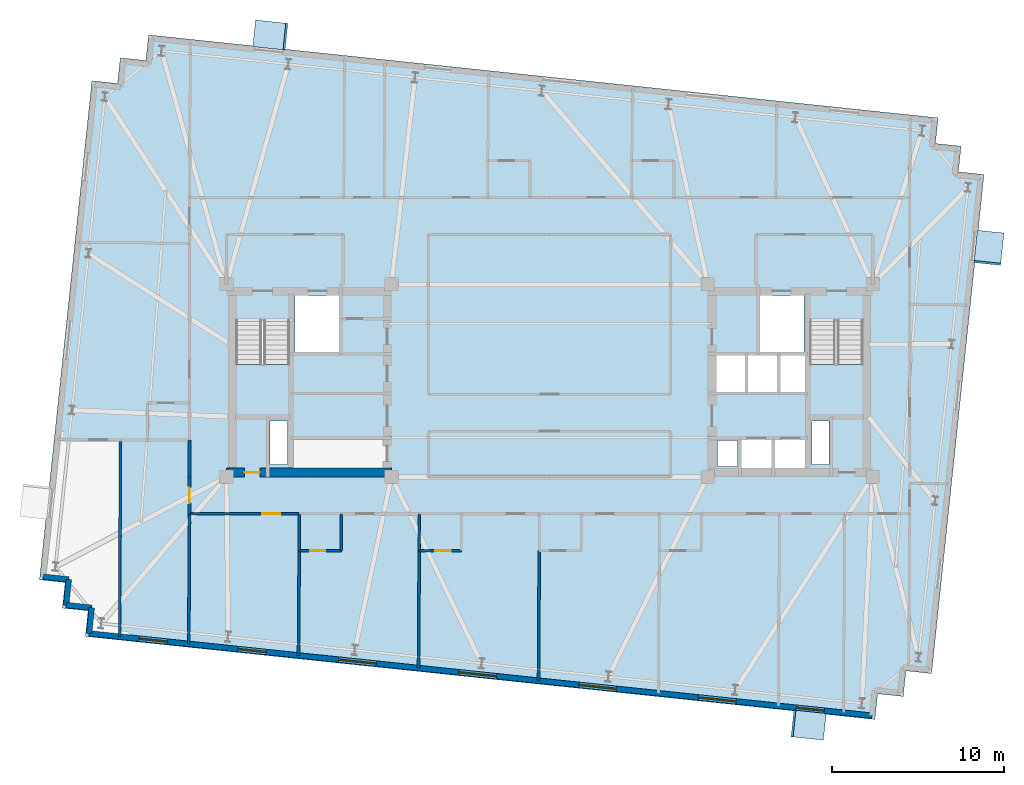
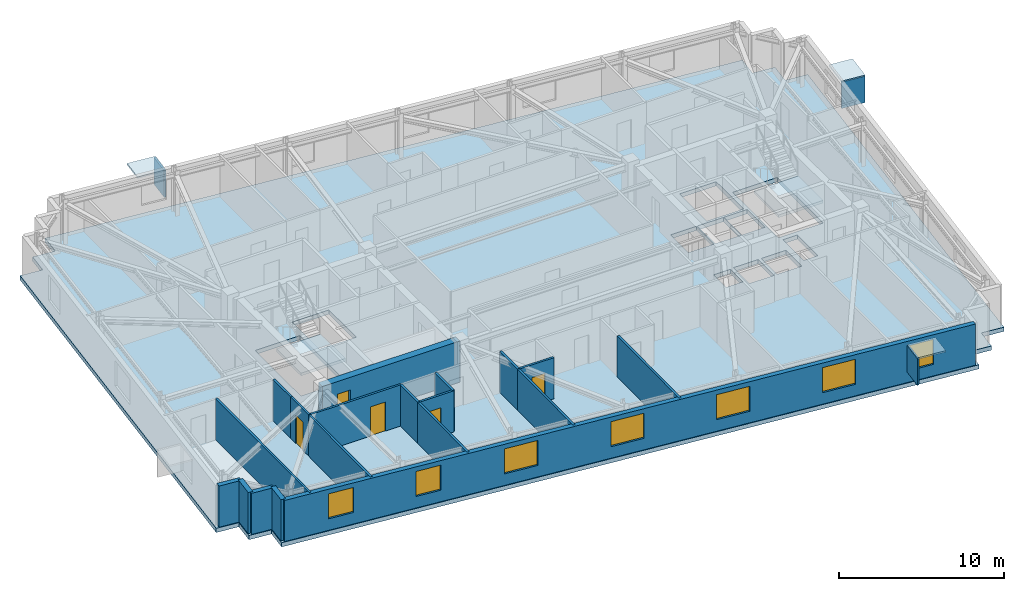
# One storey, part 5 of 11: 19 walls, 7 windows, 6 plates, 5 doors, 3 slabs, 12 openings, 2 elements without a shape of their own.
"""IFC4 building model written with IfcOpenShell, lengths in metres."""

from ifc_helpers import new_model, si_unit, direction, frame, frame_2d, origin, origin_2d, place, context, subcontext, project, spatial, polyline, rectangle, outline, extrude, material, layer, layer_set, type_object, element, fill, aggregate, save


model = new_model("IFC4")

# Units and contexts
model_context = context("Model", 3, precision=1e-05, world=origin(), true_north=direction((0.0, 1.0)))
body_context = subcontext(model_context, "Body", "Model", "MODEL_VIEW")
ifc_project = project(units=[si_unit("LENGTHUNIT", "METRE"), si_unit("AREAUNIT", "SQUARE_METRE"), si_unit("VOLUMEUNIT", "CUBIC_METRE"), si_unit("PLANEANGLEUNIT", "RADIAN"), si_unit("MASSUNIT", "GRAM", prefix="KILO")], contexts=[model_context])

# Site, building, storey
site_placement = place(None, origin())
site = spatial("IfcSite", under=ifc_project, at=site_placement, CompositionType="ELEMENT")
building_placement = place(site_placement, origin())
building = spatial("IfcBuilding", under=site, at=building_placement, Name="Qobustan Lattice House", CompositionType="ELEMENT")
storey_placement = place(building_placement, frame((0.0, 0.0, 206.449951171875)))
storey = spatial("IfcBuildingStorey", under=building, at=storey_placement, Name="L58", CompositionType="ELEMENT", Elevation=206.449951171875)

# Plates
ifc_material_1 = material(Name="Qobustan limestone GFRC", Category="masonry")
ifc_layer_1 = layer(ifc_material_1, 0.1201171875)
ifc_layer_set_1 = layer_set([ifc_layer_1], Name="Qobustan limestone GFRC")
plate_type = type_object("IfcPlateType", Name="SHD-HOOD-BROW", PredefinedType="USERDEFINED", material=ifc_layer_set_1)
plate_1_placement = place(storey_placement, frame((-16.25, 20.107666015625, 2.699951171875), z_axis=(0.0, 0.0, 1.0), x_axis=(0.994521895368, -0.104528463268, 0.0)))
element("IfcPlate", 1, at=plate_1_placement, inside=storey, type_object=plate_type, Name="L58 splayed Qobustan stone hood brow", ObjectType="SUNSHADE", PredefinedType="USERDEFINED", context=body_context, shape_type="SweptSolid", body=[
    extrude(rectangle(XDim=1.889892578125, YDim=1.56005859375, at=origin_2d()), origin(), (0.0, 0.0, 1.0), 0.1201171875),
])
plate_2_placement = place(storey_placement, frame((-15.369873046875, 20.01513671875, 0.7900390625), z_axis=(0.0, 0.0, 1.0), x_axis=(0.994521895368, -0.104528463268, 0.0)))
element("IfcPlate", 2, at=plate_2_placement, inside=storey, type_object=plate_type, Name="L58 splayed Qobustan stone hood cheek", ObjectType="SUNSHADE", PredefinedType="USERDEFINED", context=body_context, shape_type="SweptSolid", body=[
    extrude(rectangle(XDim=0.1201171875, YDim=1.56005859375, at=origin_2d()), origin(), (0.0, 0.0, 1.0), 1.969970703125),
])
plate_3_placement = place(storey_placement, frame((25.56884765625, 7.7275390625, 2.699951171875), z_axis=(0.0, 0.0, 1.0), x_axis=(-0.104528463268, -0.994521895368, 0.0)))
element("IfcPlate", 3, at=plate_3_placement, inside=storey, type_object=plate_type, Name="L58 splayed Qobustan stone hood brow", ObjectType="SUNSHADE", PredefinedType="USERDEFINED", context=body_context, shape_type="SweptSolid", body=[
    extrude(rectangle(XDim=1.889892578125, YDim=1.56005859375, at=origin_2d()), origin(), (0.0, 0.0, 1.0), 0.1201171875),
])
plate_4_placement = place(storey_placement, frame((25.476318359375, 6.847412109375, 0.7900390625), z_axis=(0.0, 0.0, 1.0), x_axis=(-0.104528463268, -0.994521895368, 0.0)))
element("IfcPlate", 4, at=plate_4_placement, inside=storey, type_object=plate_type, Name="L58 splayed Qobustan stone hood cheek", ObjectType="SUNSHADE", PredefinedType="USERDEFINED", context=body_context, shape_type="SweptSolid", body=[
    extrude(rectangle(XDim=0.1201171875, YDim=1.56005859375, at=origin_2d()), origin(), (0.0, 0.0, 1.0), 1.969970703125),
])
plate_5_placement = place(storey_placement, frame((15.0751953125, -20.046630859375, 2.699951171875), z_axis=(0.0, 0.0, 1.0), x_axis=(-0.994521895368, 0.104528463268, 0.0)))
element("IfcPlate", 5, at=plate_5_placement, inside=storey, type_object=plate_type, Name="L58 splayed Qobustan stone hood brow", ObjectType="SUNSHADE", PredefinedType="USERDEFINED", context=body_context, shape_type="SweptSolid", body=[
    extrude(rectangle(XDim=1.889892578125, YDim=1.56005859375, at=origin_2d()), origin(), (0.0, 0.0, 1.0), 0.1201171875),
])
plate_6_placement = place(storey_placement, frame((14.195068359375, -19.9541015625, 0.7900390625), z_axis=(0.0, 0.0, 1.0), x_axis=(-0.994521895368, 0.104528463268, 0.0)))
element("IfcPlate", 6, at=plate_6_placement, inside=storey, type_object=plate_type, Name="L58 splayed Qobustan stone hood cheek", ObjectType="SUNSHADE", PredefinedType="USERDEFINED", context=body_context, shape_type="SweptSolid", body=[
    extrude(rectangle(XDim=0.1201171875, YDim=1.56005859375, at=origin_2d()), origin(), (0.0, 0.0, 1.0), 1.969970703125),
])

# Slab
ifc_material_2 = material(Name="Concrete C40/50", Category="concrete")
ifc_layer_2 = layer(ifc_material_2, 0.31005859375)
ifc_layer_set_2 = layer_set([ifc_layer_2], Name="Concrete C40/50")
slab_type_1 = type_object("IfcSlabType", Name="SLB-FLR-310", PredefinedType="FLOOR", material=ifc_layer_set_2)
slab_1_placement = place(storey_placement, frame((0.0, 0.0, -0.31005859375)))
element("IfcSlab", 7, at=slab_1_placement, inside=storey, type_object=slab_type_1, Name="L58 structural floor slab", PredefinedType="FLOOR", context=body_context, shape_type="SweptSolid", body=[
    extrude(outline(polyline([(-27.01318359375, -14.888916015625), (18.933837890625, -19.71826171875), (19.090576171875, -18.226318359375), (20.582275390625, -18.38330078125), (20.739013671875, -16.891357421875), (22.23095703125, -17.048095703125), (25.283203125, 11.99169921875), (23.79150390625, 12.148681640625), (23.947998046875, 13.640380859375), (22.456298828125, 13.797119140625), (22.61328125, 15.2890625), (-23.333740234375, 20.1181640625), (-23.490478515625, 18.62646484375), (-24.982421875, 18.783203125), (-25.13916015625, 17.29150390625), (-26.630859375, 17.4482421875), (-29.68310546875, -11.591796875), (-28.19140625, -11.74853515625), (-28.34814453125, -13.240478515625), (-26.8564453125, -13.397216796875), (-27.01318359375, -14.888916015625)]), holes=[polyline([(-18.25, -2.050048828125), (-18.25, 3.489990234375), (-15.1298828125, 3.489990234375), (-15.1298828125, -2.050048828125), (-18.25, -2.050048828125)]), polyline([(15.1298828125, -2.050048828125), (15.1298828125, 3.489990234375), (18.25, 3.489990234375), (18.25, -2.050048828125), (15.1298828125, -2.050048828125)]), polyline([(-14.820068359375, 1.64990234375), (-14.820068359375, 4.9599609375), (-12.25, 4.9599609375), (-12.25, 1.64990234375), (-14.820068359375, 1.64990234375)]), polyline([(12.25, 1.64990234375), (12.25, 4.9599609375), (14.820068359375, 4.9599609375), (14.820068359375, 1.64990234375), (12.25, 1.64990234375)]), polyline([(-16.260009765625, -4.8798828125), (-16.260009765625, -2.360107421875), (-15.260009765625, -2.360107421875), (-15.260009765625, -4.8798828125), (-16.260009765625, -4.8798828125)]), polyline([(15.260009765625, -4.8798828125), (15.260009765625, -2.360107421875), (16.260009765625, -2.360107421875), (16.260009765625, -4.8798828125), (15.260009765625, -4.8798828125)]), polyline([(11.179931640625, -5.35009765625), (11.179931640625, -3.419921875), (12.919921875, -3.419921875), (12.919921875, -5.35009765625), (11.179931640625, -5.35009765625)]), polyline([(13.1201171875, -5.35009765625), (13.1201171875, -3.419921875), (14.85009765625, -3.419921875), (14.85009765625, -5.35009765625), (13.1201171875, -5.35009765625)]), polyline([(9.760009765625, -5.0), (9.760009765625, -3.47998046875), (10.93994140625, -3.47998046875), (10.93994140625, -5.0), (9.760009765625, -5.0)]), polyline([(13.360107421875, -0.679931640625), (13.360107421875, 1.47998046875), (14.97998046875, 1.47998046875), (14.97998046875, -0.679931640625), (13.360107421875, -0.679931640625)]), polyline([(9.6201171875, -0.679931640625), (9.6201171875, 1.47998046875), (11.43994140625, 1.47998046875), (11.43994140625, -0.679931640625), (9.6201171875, -0.679931640625)]), polyline([(11.5, -0.679931640625), (11.5, 1.47998046875), (13.320068359375, 1.47998046875), (13.320068359375, -0.679931640625), (11.5, -0.679931640625)])]), origin(), (0.0, 0.0, 1.0), 0.31005859375),
])

# Stair, slab
ifc_material_3 = material(Name="Concrete C40/50", Category="concrete")
stair_type = type_object("IfcStairType", Name="STR-CORE-DOGLEG", PredefinedType="HALF_TURN_STAIR", material=ifc_material_3)
stair_1_placement = place(storey_placement, origin())
stair_1 = element("IfcStair", 8, at=stair_1_placement, inside=storey, type_object=stair_type, Name="L58 West protected exit stair ST-W1", PredefinedType="HALF_TURN_STAIR")
ifc_material_4 = material(Name="Concrete C40/50", Category="concrete")
ifc_layer_3 = layer(ifc_material_4, 0.199951171875)
ifc_layer_set_3 = layer_set([ifc_layer_3], Name="Concrete C40/50")
slab_type_2 = type_object("IfcSlabType", Name="SLB-LANDING-200", PredefinedType="LANDING", material=ifc_layer_set_3)
slab_2_placement = place(storey_placement, frame((0.0, 0.0, 1.47509765625)))
slab_2 = element("IfcSlab", 9, at=slab_2_placement, type_object=slab_type_2, Name="ST-W1 landing 1", PredefinedType="LANDING", context=body_context, shape_type="SweptSolid", body=[
    extrude(outline(polyline([(-18.25, 0.93505859375), (-18.25, -2.050048828125), (-15.1298828125, -2.050048828125), (-15.1298828125, 0.93505859375), (-18.25, 0.93505859375)])), origin(), (0.0, 0.0, 1.0), 0.199951171875),
])
aggregate(stair_1, [slab_2])

stair_2_placement = place(storey_placement, origin())
stair_2 = element("IfcStair", 10, at=stair_2_placement, inside=storey, type_object=stair_type, Name="L58 East protected exit stair ST-E1", PredefinedType="HALF_TURN_STAIR")
slab_3_placement = place(storey_placement, frame((0.0, 0.0, 1.47509765625)))
slab_3 = element("IfcSlab", 11, at=slab_3_placement, type_object=slab_type_2, Name="ST-E1 landing 1", PredefinedType="LANDING", context=body_context, shape_type="SweptSolid", body=[
    extrude(outline(polyline([(15.1298828125, 0.93505859375), (15.1298828125, -2.050048828125), (18.25, -2.050048828125), (18.25, 0.93505859375), (15.1298828125, 0.93505859375)])), origin(), (0.0, 0.0, 1.0), 0.199951171875),
])
aggregate(stair_2, [slab_3])

# Wall, opening, door
ifc_material_5 = material(Name="Concrete C50/60", Category="concrete")
ifc_layer_4 = layer(ifc_material_5, 0.5)
ifc_layer_set_4 = layer_set([ifc_layer_4], Name="Concrete C50/60")
wall_type_1 = type_object("IfcWallType", Name="WAL-CORE-500", PredefinedType="SHEAR", material=ifc_layer_set_4)
wall_1_placement = place(storey_placement, frame((-18.800048828125, -5.35009765625, 0.0), z_axis=(0.0, 0.0, 1.0), x_axis=(1.0, 0.0, 0.0)))
wall_1 = element("IfcWall", 12, at=wall_1_placement, inside=storey, type_object=wall_type_1, Name="L58 split-core shear wall CW-S", PredefinedType="SHEAR", context=body_context, shape_type="SweptSolid", body=[
    extrude(rectangle(XDim=9.60009765625, YDim=0.5, at=frame_2d((4.800048828125, 0.0))), origin(), (0.0, 0.0, 1.0), 3.0400390625),
])
opening_1_placement = place(wall_1_placement, frame((1.050048828125, 0.0, 0.0)))
opening_1 = element("IfcOpeningElement", 13, at=opening_1_placement, cuts=wall_1, Name="Opening RD-01", PredefinedType="OPENING", context=body_context, shape_type="SweptSolid", body=[
    extrude(rectangle(XDim=0.89990234375, YDim=2.10009765625, at=frame_2d((0.449951171875, 1.050048828125))), frame((0.0, 0.260009765625, 0.0), z_axis=(0.0, -1.0, 0.0), x_axis=(1.0, 0.0, 0.0)), (0.0, 0.0, 1.0), 0.52001953125),
])
ifc_material_6 = material(Name="Persian walnut timber and steel frame door", Category="steel")
door_type_1 = type_object("IfcDoorType", Name="DOR-RISER-FD-900x2100", OperationType="NOTDEFINED", PredefinedType="DOOR", material=ifc_material_6)
door_1_placement = place(opening_1_placement, origin())
door_1 = element("IfcDoor", 14, at=door_1_placement, inside=storey, type_object=door_type_1, Name="L58 core service riser access door W", OperationType="SINGLE_SWING_RIGHT", OverallHeight=2.10009765625, OverallWidth=0.89990234375, PredefinedType="DOOR", context=body_context, shape_type="SweptSolid", body=[
    extrude(rectangle(XDim=0.89990234375, YDim=2.10009765625, at=frame_2d((0.449951171875, 1.050048828125))), frame((0.0, 0.02490234375, 0.0), z_axis=(0.0, -1.0, 0.0), x_axis=(1.0, 0.0, 0.0)), (0.0, 0.0, 1.0), 0.050048828125),
])
fill(opening_1, door_1)

# Walls
ifc_material_7 = material(Name="Precast concrete C40/50", Category="concrete")
ifc_layer_5 = layer(ifc_material_7, 0.320068359375)
ifc_layer_set_5 = layer_set([ifc_layer_5], Name="Precast concrete C40/50")
wall_type_2 = type_object("IfcWallType", Name="WAL-EXT-STONE-320", PredefinedType="SOLIDWALL", material=ifc_layer_set_5)
for number, where, z_axis, x_axis, name in (
    (15, (-26.79345703125, -14.7109375, 0.0), (0.0, 0.0, 1.0), (0.104498377516, 0.994525057048, 0.0), "L58 exterior limestone-clad wall 1"),
    (16, (-26.63671875, -13.21923828125, 0.0), (0.0, 0.0, 1.0), (-0.994525057048, 0.104498377516, 0.0), "L58 exterior limestone-clad wall 2"),
):
    element("IfcWall", number, at=place(storey_placement, frame(where, z_axis=z_axis, x_axis=x_axis)), inside=storey, type_object=wall_type_2, Name=name, PredefinedType="SOLIDWALL", context=body_context, shape_type="SweptSolid", body=[
        extrude(rectangle(XDim=1.5, YDim=0.320068359375, at=frame_2d((0.75, 0.0))), origin(), (0.0, 0.0, 1.0), 3.0400390625),
    ])
wall_2_placement = place(storey_placement, frame((-28.12841796875, -13.0625, 0.0), z_axis=(0.0, 0.0, 1.0), x_axis=(0.104481464157, 0.994526834051, 0.0)))
element("IfcWall", 17, at=wall_2_placement, inside=storey, type_object=wall_type_2, Name="L58 exterior limestone-clad wall 3", PredefinedType="SOLIDWALL", context=body_context, shape_type="SweptSolid", body=[
    extrude(rectangle(XDim=1.500244140625, YDim=0.320068359375, at=frame_2d((0.75, 0.0))), origin(), (0.0, 0.0, 1.0), 3.0400390625),
])
wall_3_placement = place(storey_placement, frame((-27.9716796875, -11.570556640625, 0.0), z_axis=(0.0, 0.0, 1.0), x_axis=(-0.994525057048, 0.104498377516, 0.0)))
element("IfcWall", 18, at=wall_3_placement, inside=storey, type_object=wall_type_2, Name="L58 exterior limestone-clad wall 4", PredefinedType="SOLIDWALL", context=body_context, shape_type="SweptSolid", body=[
    extrude(rectangle(XDim=1.5, YDim=0.320068359375, at=frame_2d((0.75, 0.0))), origin(), (0.0, 0.0, 1.0), 3.0400390625),
])

# Wall, openings, windows
wall_4_placement = place(storey_placement, frame((18.755859375, -19.498291015625, 0.0), z_axis=(0.0, 0.0, 1.0), x_axis=(-0.994522060044, 0.104526896475, 0.0)))
wall_4 = element("IfcWall", 19, at=wall_4_placement, inside=storey, type_object=wall_type_2, Name="L58 exterior limestone-clad wall 20", PredefinedType="SOLIDWALL", context=body_context, shape_type="SweptSolid", body=[
    extrude(rectangle(XDim=45.80029296875, YDim=0.320068359375, at=frame_2d((22.900146484375, 0.0))), origin(), (0.0, 0.0, 1.0), 3.0400390625),
])
opening_2_placement = place(wall_4_placement, frame((2.7783203125, 0.0, 0.85009765625)))
opening_2 = element("IfcOpeningElement", 20, at=opening_2_placement, cuts=wall_4, Name="Opening WN-09", PredefinedType="OPENING", context=body_context, shape_type="SweptSolid", body=[
    extrude(rectangle(XDim=1.64990234375, YDim=1.85009765625, at=frame_2d((0.824951171875, 0.925048828125))), frame((0.0, 0.169921875, 0.0), z_axis=(0.0, -1.0, 0.0), x_axis=(1.0, 0.0, 0.0)), (0.0, 0.0, 1.0), 0.340087890625),
])
opening_3_placement = place(wall_4_placement, frame((7.947998046875, 0.0, 0.85009765625)))
opening_3 = element("IfcOpeningElement", 21, at=opening_3_placement, cuts=wall_4, Name="Opening WN-03", PredefinedType="OPENING", context=body_context, shape_type="SweptSolid", body=[
    extrude(rectangle(XDim=2.199951171875, YDim=1.85009765625, at=frame_2d((1.10009765625, 0.925048828125))), frame((0.0, 0.169921875, 0.0), z_axis=(0.0, -1.0, 0.0), x_axis=(1.0, 0.0, 0.0)), (0.0, 0.0, 1.0), 0.340087890625),
])
opening_4_placement = place(wall_4_placement, frame((14.9541015625, 0.0, 0.85009765625)))
opening_4 = element("IfcOpeningElement", 22, at=opening_4_placement, cuts=wall_4, Name="Opening WN-03", PredefinedType="OPENING", context=body_context, shape_type="SweptSolid", body=[
    extrude(rectangle(XDim=2.199951171875, YDim=1.85009765625, at=frame_2d((1.10009765625, 0.925048828125))), frame((0.0, 0.169921875, 0.0), z_axis=(0.0, -1.0, 0.0), x_axis=(1.0, 0.0, 0.0)), (0.0, 0.0, 1.0), 0.340087890625),
])
opening_5_placement = place(wall_4_placement, frame((21.960205078125, 0.0, 0.85009765625)))
opening_5 = element("IfcOpeningElement", 23, at=opening_5_placement, cuts=wall_4, Name="Opening WN-03", PredefinedType="OPENING", context=body_context, shape_type="SweptSolid", body=[
    extrude(rectangle(XDim=2.199951171875, YDim=1.85009765625, at=frame_2d((1.10009765625, 0.925048828125))), frame((0.0, 0.169921875, 0.0), z_axis=(0.0, -1.0, 0.0), x_axis=(1.0, 0.0, 0.0)), (0.0, 0.0, 1.0), 0.340087890625),
])
opening_6_placement = place(wall_4_placement, frame((29.00634765625, 0.0, 0.85009765625)))
opening_6 = element("IfcOpeningElement", 24, at=opening_6_placement, cuts=wall_4, Name="Opening WN-03", PredefinedType="OPENING", context=body_context, shape_type="SweptSolid", body=[
    extrude(rectangle(XDim=2.199951171875, YDim=1.85009765625, at=frame_2d((1.10009765625, 0.925048828125))), frame((0.0, 0.169921875, 0.0), z_axis=(0.0, -1.0, 0.0), x_axis=(1.0, 0.0, 0.0)), (0.0, 0.0, 1.0), 0.340087890625),
])
opening_7_placement = place(wall_4_placement, frame((35.428955078125, 0.0, 0.85009765625)))
opening_7 = element("IfcOpeningElement", 25, at=opening_7_placement, cuts=wall_4, Name="Opening WN-09", PredefinedType="OPENING", context=body_context, shape_type="SweptSolid", body=[
    extrude(rectangle(XDim=1.64990234375, YDim=1.85009765625, at=frame_2d((0.824951171875, 0.925048828125))), frame((0.0, 0.169921875, 0.0), z_axis=(0.0, -1.0, 0.0), x_axis=(1.0, 0.0, 0.0)), (0.0, 0.0, 1.0), 0.340087890625),
])
opening_8_placement = place(wall_4_placement, frame((41.2119140625, 0.0, 0.85009765625)))
opening_8 = element("IfcOpeningElement", 26, at=opening_8_placement, cuts=wall_4, Name="Opening WN-09", PredefinedType="OPENING", context=body_context, shape_type="SweptSolid", body=[
    extrude(rectangle(XDim=1.64990234375, YDim=1.85009765625, at=frame_2d((0.824951171875, 0.925048828125))), frame((0.0, 0.169921875, 0.0), z_axis=(0.0, -1.0, 0.0), x_axis=(1.0, 0.0, 0.0)), (0.0, 0.0, 1.0), 0.340087890625),
])
ifc_material_8 = material(Name="Double-glazed low-E aluminium window", Category="aluminium")
window_type_1 = type_object("IfcWindowType", Name="WIN-STU-1650x1850", PartitioningType="SINGLE_PANEL", PredefinedType="WINDOW", material=ifc_material_8)
window_1_placement = place(opening_2_placement, origin())
window_1 = element("IfcWindow", 27, at=window_1_placement, inside=storey, type_object=window_type_1, Name="L58 Group study room window", OverallHeight=1.85009765625, OverallWidth=1.64990234375, PartitioningType="SINGLE_PANEL", PredefinedType="WINDOW", context=body_context, shape_type="SweptSolid", body=[
    extrude(rectangle(XDim=1.64990234375, YDim=1.85009765625, at=frame_2d((0.824951171875, 0.925048828125))), frame((0.0, 0.030029296875, 0.0), z_axis=(0.0, -1.0, 0.0), x_axis=(1.0, 0.0, 0.0)), (0.0, 0.0, 1.0), 0.06005859375),
])
fill(opening_2, window_1)
window_2_placement = place(opening_7_placement, origin())
window_2 = element("IfcWindow", 28, at=window_2_placement, inside=storey, type_object=window_type_1, Name="L58 Focus study room S1 window", OverallHeight=1.85009765625, OverallWidth=1.64990234375, PartitioningType="SINGLE_PANEL", PredefinedType="WINDOW", context=body_context, shape_type="SweptSolid", body=[
    extrude(rectangle(XDim=1.64990234375, YDim=1.85009765625, at=frame_2d((0.824951171875, 0.925048828125))), frame((0.0, 0.030029296875, 0.0), z_axis=(0.0, -1.0, 0.0), x_axis=(1.0, 0.0, 0.0)), (0.0, 0.0, 1.0), 0.06005859375),
])
fill(opening_7, window_2)
window_3_placement = place(opening_8_placement, origin())
window_3 = element("IfcWindow", 29, at=window_3_placement, inside=storey, type_object=window_type_1, Name="L58 Focus study room W1B window", OverallHeight=1.85009765625, OverallWidth=1.64990234375, PartitioningType="SINGLE_PANEL", PredefinedType="WINDOW", context=body_context, shape_type="SweptSolid", body=[
    extrude(rectangle(XDim=1.64990234375, YDim=1.85009765625, at=frame_2d((0.824951171875, 0.925048828125))), frame((0.0, 0.030029296875, 0.0), z_axis=(0.0, -1.0, 0.0), x_axis=(1.0, 0.0, 0.0)), (0.0, 0.0, 1.0), 0.06005859375),
])
fill(opening_8, window_3)
ifc_material_9 = material(Name="Double-glazed low-E aluminium window", Category="aluminium")
window_type_2 = type_object("IfcWindowType", Name="WIN-WIDE-2200x1850", PartitioningType="SINGLE_PANEL", PredefinedType="WINDOW", material=ifc_material_9)
window_4_placement = place(opening_3_placement, origin())
window_4 = element("IfcWindow", 30, at=window_4_placement, inside=storey, type_object=window_type_2, Name="L58 Kitchenette and studio apartment L58-S5 window", OverallHeight=1.85009765625, OverallWidth=2.199951171875, PartitioningType="SINGLE_PANEL", PredefinedType="WINDOW", context=body_context, shape_type="SweptSolid", body=[
    extrude(rectangle(XDim=2.199951171875, YDim=1.85009765625, at=frame_2d((1.10009765625, 0.925048828125))), frame((0.0, 0.030029296875, 0.0), z_axis=(0.0, -1.0, 0.0), x_axis=(1.0, 0.0, 0.0)), (0.0, 0.0, 1.0), 0.06005859375),
])
fill(opening_3, window_4)
window_5_placement = place(opening_4_placement, origin())
window_5 = element("IfcWindow", 31, at=window_5_placement, inside=storey, type_object=window_type_2, Name="L58 Kitchenette and studio apartment L58-S4 window", OverallHeight=1.85009765625, OverallWidth=2.199951171875, PartitioningType="SINGLE_PANEL", PredefinedType="WINDOW", context=body_context, shape_type="SweptSolid", body=[
    extrude(rectangle(XDim=2.199951171875, YDim=1.85009765625, at=frame_2d((1.10009765625, 0.925048828125))), frame((0.0, 0.030029296875, 0.0), z_axis=(0.0, -1.0, 0.0), x_axis=(1.0, 0.0, 0.0)), (0.0, 0.0, 1.0), 0.06005859375),
])
fill(opening_4, window_5)
window_6_placement = place(opening_5_placement, origin())
window_6 = element("IfcWindow", 32, at=window_6_placement, inside=storey, type_object=window_type_2, Name="L58 Kitchenette and studio apartment L58-S3 window", OverallHeight=1.85009765625, OverallWidth=2.199951171875, PartitioningType="SINGLE_PANEL", PredefinedType="WINDOW", context=body_context, shape_type="SweptSolid", body=[
    extrude(rectangle(XDim=2.199951171875, YDim=1.85009765625, at=frame_2d((1.10009765625, 0.925048828125))), frame((0.0, 0.030029296875, 0.0), z_axis=(0.0, -1.0, 0.0), x_axis=(1.0, 0.0, 0.0)), (0.0, 0.0, 1.0), 0.06005859375),
])
fill(opening_5, window_6)
window_7_placement = place(opening_6_placement, origin())
window_7 = element("IfcWindow", 33, at=window_7_placement, inside=storey, type_object=window_type_2, Name="L58 Kitchenette and studio apartment L58-S2 window", OverallHeight=1.85009765625, OverallWidth=2.199951171875, PartitioningType="SINGLE_PANEL", PredefinedType="WINDOW", context=body_context, shape_type="SweptSolid", body=[
    extrude(rectangle(XDim=2.199951171875, YDim=1.85009765625, at=frame_2d((1.10009765625, 0.925048828125))), frame((0.0, 0.030029296875, 0.0), z_axis=(0.0, -1.0, 0.0), x_axis=(1.0, 0.0, 0.0)), (0.0, 0.0, 1.0), 0.06005859375),
])
fill(opening_6, window_7)

# Wall, opening, door
ifc_material_10 = material(Name="Acoustic twin-stud gypsum partition", Category="gypsum")
ifc_layer_6 = layer(ifc_material_10, 0.14990234375)
ifc_layer_set_6 = layer_set([ifc_layer_6], Name="Acoustic twin-stud gypsum partition")
wall_type_3 = type_object("IfcWallType", Name="WAL-PART-150", PredefinedType="PARTITIONING", material=ifc_layer_set_6)
wall_5_placement = place(storey_placement, frame((-20.949951171875, -7.75, 0.0), z_axis=(0.0, 0.0, 1.0), x_axis=(0.0, 1.0, 0.0)))
wall_5 = element("IfcWall", 34, at=wall_5_placement, inside=storey, type_object=wall_type_3, Name="L58 interior partition 45", PredefinedType="PARTITIONING", context=body_context, shape_type="SweptSolid", body=[
    extrude(rectangle(XDim=2.14990234375, YDim=0.14990234375, at=frame_2d((1.074951171875, 0.0))), origin(), (0.0, 0.0, 1.0), 3.0400390625),
])
opening_9_placement = place(wall_5_placement, frame((0.625, 0.0, 0.0)))
opening_9 = element("IfcOpeningElement", 35, at=opening_9_placement, cuts=wall_5, Name="Opening WD-01", PredefinedType="OPENING", context=body_context, shape_type="SweptSolid", body=[
    extrude(rectangle(XDim=0.89990234375, YDim=2.10009765625, at=frame_2d((0.449951171875, 1.050048828125))), frame((0.0, 0.0849609375, 0.0), z_axis=(0.0, -1.0, 0.0), x_axis=(1.0, 0.0, 0.0)), (0.0, 0.0, 1.0), 0.169921875),
])
ifc_material_11 = material(Name="Persian walnut timber and steel frame door", Category="steel")
door_type_2 = type_object("IfcDoorType", Name="DOR-WET-900x2100", OperationType="NOTDEFINED", PredefinedType="DOOR", material=ifc_material_11)
door_2_placement = place(opening_9_placement, origin())
door_2 = element("IfcDoor", 36, at=door_2_placement, inside=storey, type_object=door_type_2, Name="L58 South-west floor corridor to Focus study room W1B door", OperationType="SINGLE_SWING_RIGHT", OverallHeight=2.10009765625, OverallWidth=0.89990234375, PredefinedType="DOOR", context=body_context, shape_type="SweptSolid", body=[
    extrude(rectangle(XDim=0.89990234375, YDim=2.10009765625, at=frame_2d((0.449951171875, 1.050048828125))), frame((0.0, 0.02490234375, 0.0), z_axis=(0.0, -1.0, 0.0), x_axis=(1.0, 0.0, 0.0)), (0.0, 0.0, 1.0), 0.050048828125),
])
fill(opening_9, door_2)

wall_6_placement = place(storey_placement, frame((-14.56689453125, -7.75, 0.0), z_axis=(0.0, 0.0, 1.0), x_axis=(-1.0, 0.0, 0.0)))
wall_6 = element("IfcWall", 37, at=wall_6_placement, inside=storey, type_object=wall_type_3, Name="L58 interior partition 46", PredefinedType="PARTITIONING", context=body_context, shape_type="SweptSolid", body=[
    extrude(rectangle(XDim=6.383056640625, YDim=0.14990234375, at=frame_2d((3.19140625, 0.0))), origin(), (0.0, 0.0, 1.0), 3.0400390625),
])
opening_10_placement = place(wall_6_placement, frame((1.1015625, 0.0, 0.0)))
opening_10 = element("IfcOpeningElement", 38, at=opening_10_placement, cuts=wall_6, Name="Opening ID-02", PredefinedType="OPENING", context=body_context, shape_type="SweptSolid", body=[
    extrude(rectangle(XDim=1.050048828125, YDim=2.14990234375, at=frame_2d((0.52490234375, 1.074951171875))), frame((0.0, 0.0849609375, 0.0), z_axis=(0.0, -1.0, 0.0), x_axis=(1.0, 0.0, 0.0)), (0.0, 0.0, 1.0), 0.169921875),
])
ifc_material_12 = material(Name="Persian walnut timber and steel frame door", Category="steel")
door_type_3 = type_object("IfcDoorType", Name="DOR-STUDY-1050x2150", OperationType="NOTDEFINED", PredefinedType="DOOR", material=ifc_material_12)
door_3_placement = place(opening_10_placement, origin())
door_3 = element("IfcDoor", 39, at=door_3_placement, inside=storey, type_object=door_type_3, Name="L58 South-west floor corridor to Focus study room S1 door", OperationType="SINGLE_SWING_LEFT", OverallHeight=2.14990234375, OverallWidth=1.050048828125, PredefinedType="DOOR", context=body_context, shape_type="SweptSolid", body=[
    extrude(rectangle(XDim=1.050048828125, YDim=2.14990234375, at=frame_2d((0.52490234375, 1.074951171875))), frame((0.0, 0.02490234375, 0.0), z_axis=(0.0, -1.0, 0.0), x_axis=(1.0, 0.0, 0.0)), (0.0, 0.0, 1.0), 0.050048828125),
])
fill(opening_10, door_3)

# Walls
wall_7_placement = place(storey_placement, frame((-20.949951171875, -5.60009765625, 0.0), z_axis=(0.0, 0.0, 1.0), x_axis=(0.0, 1.0, 0.0)))
element("IfcWall", 40, at=wall_7_placement, inside=storey, type_object=wall_type_3, Name="L58 interior partition 61", PredefinedType="PARTITIONING", context=body_context, shape_type="SweptSolid", body=[
    extrude(rectangle(XDim=2.14404296875, YDim=0.14990234375, at=frame_2d((1.072021484375, 0.0))), origin(), (0.0, 0.0, 1.0), 3.0400390625),
])
wall_8_placement = place(storey_placement, frame((-24.975830078125, -3.4560546875, 0.0), z_axis=(0.0, 0.0, 1.0), x_axis=(-0.003840873, -0.99999262382, 0.0)))
element("IfcWall", 41, at=wall_8_placement, inside=storey, type_object=wall_type_3, Name="L58 interior partition 73", PredefinedType="PARTITIONING", context=body_context, shape_type="SweptSolid", body=[
    extrude(rectangle(XDim=11.44140625, YDim=0.14990234375, at=frame_2d((5.720703125, 0.0))), origin(), (0.0, 0.0, 1.0), 3.0400390625),
])
wall_9_placement = place(storey_placement, frame((-20.949951171875, -7.75, 0.0), z_axis=(0.0, 0.0, 1.0), x_axis=(-0.005804668564, -0.99998315277, 0.0)))
element("IfcWall", 42, at=wall_9_placement, inside=storey, type_object=wall_type_3, Name="L58 interior partition 77", PredefinedType="PARTITIONING", context=body_context, shape_type="SweptSolid", body=[
    extrude(rectangle(XDim=7.57080078125, YDim=0.14990234375, at=frame_2d((3.785400390625, 0.0))), origin(), (0.0, 0.0, 1.0), 3.0400390625),
])
wall_10_placement = place(storey_placement, frame((-14.56689453125, -9.89990234375, 0.0), z_axis=(0.0, 0.0, 1.0), x_axis=(-0.007213951996, -0.99997397911, 0.0)))
element("IfcWall", 43, at=wall_10_placement, inside=storey, type_object=wall_type_3, Name="L58 interior partition 97", PredefinedType="PARTITIONING", context=body_context, shape_type="SweptSolid", body=[
    extrude(rectangle(XDim=6.091796875, YDim=0.14990234375, at=frame_2d((3.0458984375, 0.0))), origin(), (0.0, 0.0, 1.0), 3.0400390625),
])
wall_11_placement = place(storey_placement, frame((-7.5830078125, -9.89990234375, 0.0), z_axis=(0.0, 0.0, 1.0), x_axis=(-0.006438095341, -0.999979275249, 0.0)))
element("IfcWall", 44, at=wall_11_placement, inside=storey, type_object=wall_type_3, Name="L58 interior partition 101", PredefinedType="PARTITIONING", context=body_context, shape_type="SweptSolid", body=[
    extrude(rectangle(XDim=6.825927734375, YDim=0.14990234375, at=frame_2d((3.4130859375, 0.0))), origin(), (0.0, 0.0, 1.0), 3.0400390625),
])
wall_12_placement = place(storey_placement, frame((-0.60009765625, -9.89990234375, 0.0), z_axis=(0.0, 0.0, 1.0), x_axis=(-0.005780810266, -0.999983290977, 0.0)))
element("IfcWall", 45, at=wall_12_placement, inside=storey, type_object=wall_type_3, Name="L58 interior partition 105", PredefinedType="PARTITIONING", context=body_context, shape_type="SweptSolid", body=[
    extrude(rectangle(XDim=7.559814453125, YDim=0.14990234375, at=frame_2d((3.77978515625, 0.0))), origin(), (0.0, 0.0, 1.0), 3.0400390625),
])
ifc_material_13 = material(Name="Moisture-resistant acoustic plumbing wall", Category="gypsum")
ifc_layer_7 = layer(ifc_material_13, 0.14990234375)
ifc_layer_set_7 = layer_set([ifc_layer_7], Name="Moisture-resistant acoustic plumbing wall")
wall_type_4 = type_object("IfcWallType", Name="WAL-WET-150", PredefinedType="PLUMBINGWALL", material=ifc_layer_set_7)
wall_13_placement = place(storey_placement, frame((-14.56689453125, -7.75, 0.0), z_axis=(0.0, 0.0, 1.0), x_axis=(0.0, -1.0, 0.0)))
element("IfcWall", 46, at=wall_13_placement, inside=storey, type_object=wall_type_4, Name="L58 interior partition 98", PredefinedType="PLUMBINGWALL", context=body_context, shape_type="SweptSolid", body=[
    extrude(rectangle(XDim=2.14990234375, YDim=0.14990234375, at=frame_2d((1.074951171875, 0.0))), origin(), (0.0, 0.0, 1.0), 3.0400390625),
])

# Wall, opening, door
wall_14_placement = place(storey_placement, frame((-14.56689453125, -9.89990234375, 0.0), z_axis=(0.0, 0.0, 1.0), x_axis=(1.0, 0.0, 0.0)))
wall_14 = element("IfcWall", 47, at=wall_14_placement, inside=storey, type_object=wall_type_4, Name="L58 interior partition 99", PredefinedType="PLUMBINGWALL", context=body_context, shape_type="SweptSolid", body=[
    extrude(rectangle(XDim=2.449951171875, YDim=0.14990234375, at=frame_2d((1.22509765625, 0.0))), origin(), (0.0, 0.0, 1.0), 3.0400390625),
])
opening_11_placement = place(wall_14_placement, frame((0.628662109375, 0.0, 0.0)))
opening_11 = element("IfcOpeningElement", 48, at=opening_11_placement, cuts=wall_14, Name="Opening WD-01", PredefinedType="OPENING", context=body_context, shape_type="SweptSolid", body=[
    extrude(rectangle(XDim=0.89990234375, YDim=2.10009765625, at=frame_2d((0.449951171875, 1.050048828125))), frame((0.0, 0.0849609375, 0.0), z_axis=(0.0, -1.0, 0.0), x_axis=(1.0, 0.0, 0.0)), (0.0, 0.0, 1.0), 0.169921875),
])
door_4_placement = place(opening_11_placement, origin())
door_4 = element("IfcDoor", 49, at=door_4_placement, inside=storey, type_object=door_type_2, Name="L58 Kitchenette and studio apartment L58-S2 to En-suite bathroom L58-S2 door", OperationType="SINGLE_SWING_RIGHT", OverallHeight=2.10009765625, OverallWidth=0.89990234375, PredefinedType="DOOR", context=body_context, shape_type="SweptSolid", body=[
    extrude(rectangle(XDim=0.89990234375, YDim=2.10009765625, at=frame_2d((0.449951171875, 1.050048828125))), frame((0.0, 0.02490234375, 0.0), z_axis=(0.0, -1.0, 0.0), x_axis=(1.0, 0.0, 0.0)), (0.0, 0.0, 1.0), 0.050048828125),
])
fill(opening_11, door_4)

# Walls
for number, where, z_axis, x_axis, name in (
    (50, (-12.116943359375, -9.89990234375, 0.0), (0.0, 0.0, 1.0), (0.0, 1.0, 0.0), "L58 interior partition 100"),
    (51, (-7.5830078125, -7.75, 0.0), (0.0, 0.0, 1.0), (0.0, -1.0, 0.0), "L58 interior partition 102"),
):
    element("IfcWall", number, at=place(storey_placement, frame(where, z_axis=z_axis, x_axis=x_axis)), inside=storey, type_object=wall_type_4, Name=name, PredefinedType="PLUMBINGWALL", context=body_context, shape_type="SweptSolid", body=[
        extrude(rectangle(XDim=2.14990234375, YDim=0.14990234375, at=frame_2d((1.074951171875, 0.0))), origin(), (0.0, 0.0, 1.0), 3.0400390625),
    ])

# Wall, opening, door
wall_15_placement = place(storey_placement, frame((-7.5830078125, -9.89990234375, 0.0), z_axis=(0.0, 0.0, 1.0), x_axis=(1.0, 0.0, 0.0)))
wall_15 = element("IfcWall", 52, at=wall_15_placement, inside=storey, type_object=wall_type_4, Name="L58 interior partition 103", PredefinedType="PLUMBINGWALL", context=body_context, shape_type="SweptSolid", body=[
    extrude(rectangle(XDim=2.449951171875, YDim=0.14990234375, at=frame_2d((1.22509765625, 0.0))), origin(), (0.0, 0.0, 1.0), 3.0400390625),
])
opening_12_placement = place(wall_15_placement, frame((0.92138671875, 0.0, 0.0)))
opening_12 = element("IfcOpeningElement", 53, at=opening_12_placement, cuts=wall_15, Name="Opening WD-01", PredefinedType="OPENING", context=body_context, shape_type="SweptSolid", body=[
    extrude(rectangle(XDim=0.89990234375, YDim=2.10009765625, at=frame_2d((0.449951171875, 1.050048828125))), frame((0.0, 0.0849609375, 0.0), z_axis=(0.0, -1.0, 0.0), x_axis=(1.0, 0.0, 0.0)), (0.0, 0.0, 1.0), 0.169921875),
])
door_5_placement = place(opening_12_placement, origin())
door_5 = element("IfcDoor", 54, at=door_5_placement, inside=storey, type_object=door_type_2, Name="L58 Kitchenette and studio apartment L58-S3 to En-suite bathroom L58-S3 door", OperationType="SINGLE_SWING_LEFT", OverallHeight=2.10009765625, OverallWidth=0.89990234375, PredefinedType="DOOR", context=body_context, shape_type="SweptSolid", body=[
    extrude(rectangle(XDim=0.89990234375, YDim=2.10009765625, at=frame_2d((0.449951171875, 1.050048828125))), frame((0.0, 0.02490234375, 0.0), z_axis=(0.0, -1.0, 0.0), x_axis=(1.0, 0.0, 0.0)), (0.0, 0.0, 1.0), 0.050048828125),
])
fill(opening_12, door_5)

save(model, "model.ifc")
